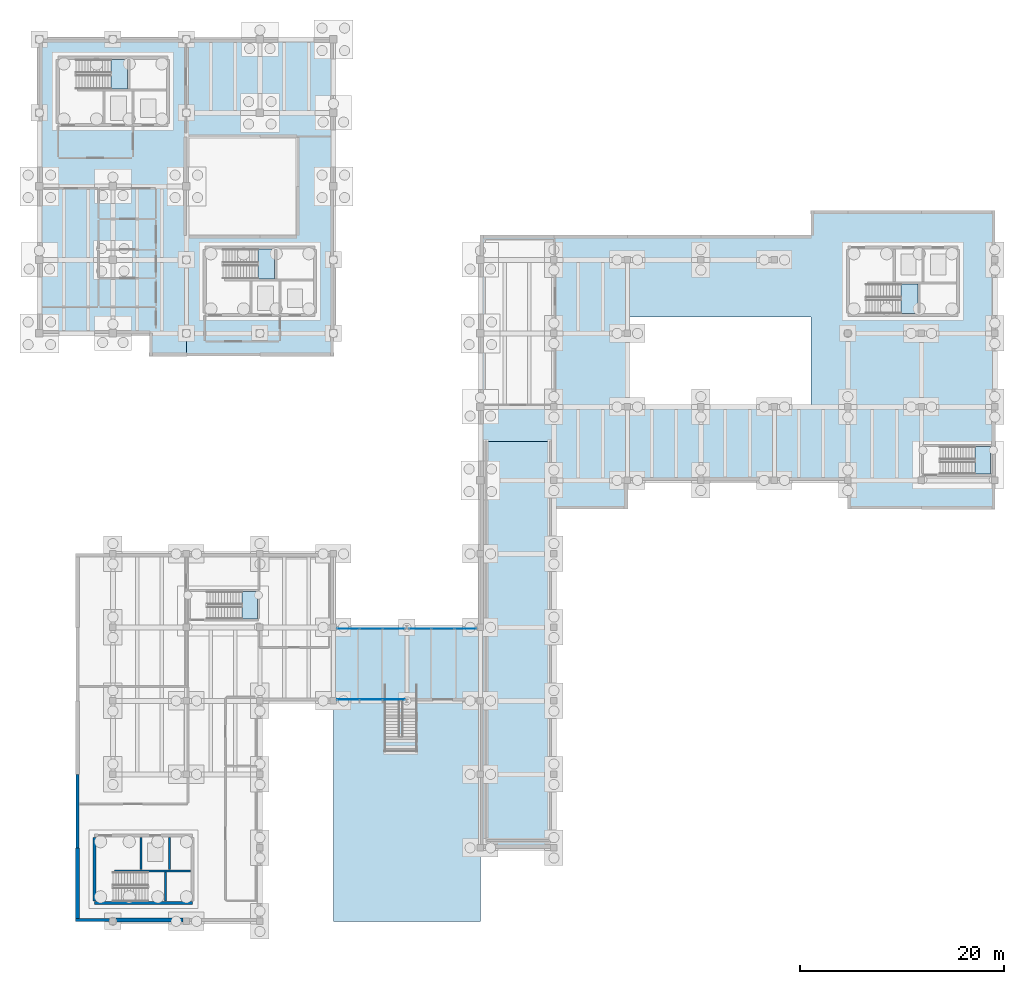
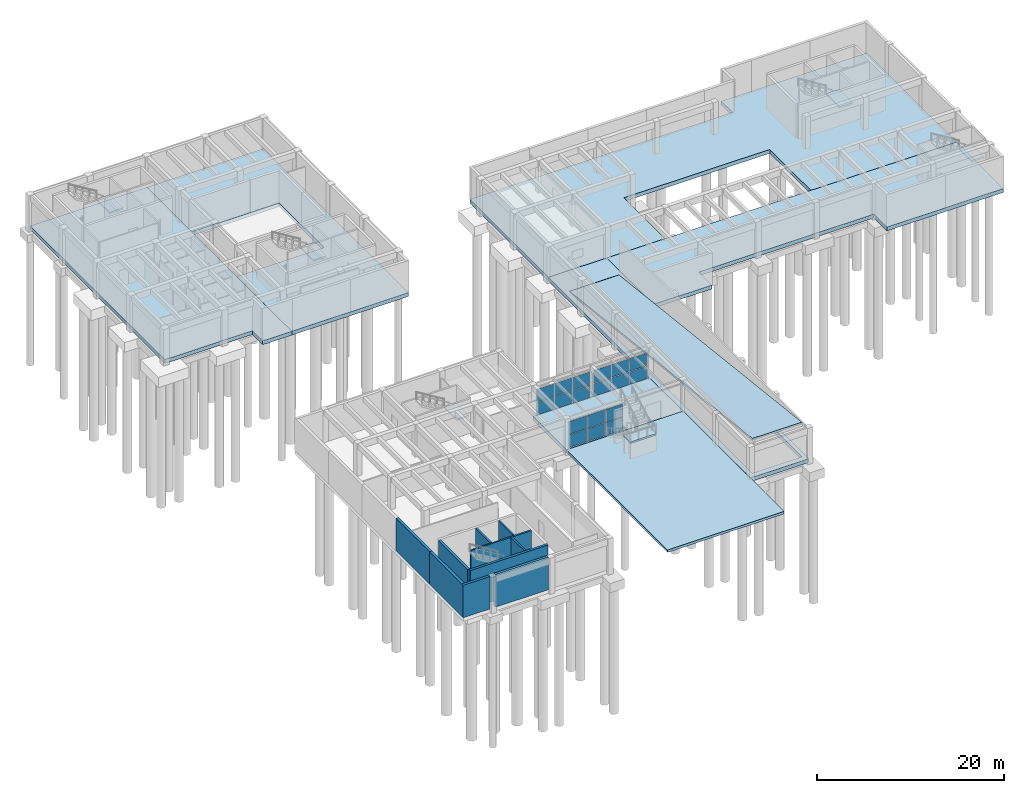
# One storey, part 16 of 28: 18 plates, 14 slabs, 10 walls, 9 elements without a shape of their own.
"""IFC4 building model written with IfcOpenShell, lengths in metres."""

from ifc_helpers import new_model, si_unit, direction, frame, frame_2d, origin, origin_2d, place, context, subcontext, project, spatial, polyline, rectangle, outline, extrude, material, layer, layer_set, type_object, element, aggregate, save


model = new_model("IFC4")

# Units and contexts
model_context = context("Model", 3, precision=1e-05, world=origin(), true_north=direction((0.0, 1.0)))
body_context = subcontext(model_context, "Body", "Model", "MODEL_VIEW")
ifc_project = project(units=[si_unit("LENGTHUNIT", "METRE"), si_unit("AREAUNIT", "SQUARE_METRE"), si_unit("VOLUMEUNIT", "CUBIC_METRE"), si_unit("PLANEANGLEUNIT", "RADIAN"), si_unit("MASSUNIT", "GRAM", prefix="KILO")], contexts=[model_context])

# Site, building, storey
site_placement = place(None, origin())
site = spatial("IfcSite", under=ifc_project, at=site_placement, CompositionType="ELEMENT")
building_placement = place(site_placement, origin())
building = spatial("IfcBuilding", under=site, at=building_placement, Name="Bramvelor Terrace Health Centre", CompositionType="ELEMENT")
storey_placement = place(building_placement, frame((0.0, 0.0, -4.5)))
storey = spatial("IfcBuildingStorey", under=building, at=storey_placement, Name="B1", CompositionType="ELEMENT", Elevation=-4.5)

# Curtain wall, plates
ifc_material_1 = material(Name="Anodized aluminium and double low-E glass", Category="aluminium")
curtain_wall_type = type_object("IfcCurtainWallType", Name="CW-SYS-01", PredefinedType="NOTDEFINED", material=ifc_material_1)
curtain_wall_1_placement = place(storey_placement, origin())
curtain_wall_1 = element("IfcCurtainWall", 1, at=curtain_wall_1_placement, inside=storey, type_object=curtain_wall_type, Name="B1 Unitized Curtain Wall 1", PredefinedType="NOTDEFINED")
ifc_material_2 = material(Name="Double low-E laminated glass", Category="glass")
ifc_layer_1 = layer(ifc_material_2, 0.028076171875)
ifc_layer_set_1 = layer_set([ifc_layer_1], Name="Double low-E laminated glass")
plate_type = type_object("IfcPlateType", Name="CW-PNL-GLZ28", PredefinedType="CURTAIN_PANEL", material=ifc_layer_set_1)
plate_1_placement = place(storey_placement, frame((30.2607421875, 57.469970703125, 0.06494140625), z_axis=(0.0, 0.0, 1.0), x_axis=(1.0, 0.0, 0.0)))
plate_1 = element("IfcPlate", 2, at=plate_1_placement, type_object=plate_type, Name="CW-01 panel 1.1", PredefinedType="CURTAIN_PANEL", context=body_context, shape_type="SweptSolid", body=[
    extrude(rectangle(XDim=2.13134765625, YDim=0.028076171875, at=origin_2d()), origin(), (0.0, 0.0, 1.0), 1.657470703125),
])
plate_2_placement = place(storey_placement, frame((30.2607421875, 57.469970703125, 1.78759765625), z_axis=(0.0, 0.0, 1.0), x_axis=(1.0, 0.0, 0.0)))
plate_2 = element("IfcPlate", 3, at=plate_2_placement, type_object=plate_type, Name="CW-01 panel 1.2", PredefinedType="CURTAIN_PANEL", context=body_context, shape_type="SweptSolid", body=[
    extrude(rectangle(XDim=2.13134765625, YDim=0.028076171875, at=origin_2d()), origin(), (0.0, 0.0, 1.0), 1.657470703125),
])
plate_3_placement = place(storey_placement, frame((32.485595703125, 57.469970703125, 0.06494140625), z_axis=(0.0, 0.0, 1.0), x_axis=(1.0, 0.0, 0.0)))
plate_3 = element("IfcPlate", 4, at=plate_3_placement, type_object=plate_type, Name="CW-01 panel 2.1", PredefinedType="CURTAIN_PANEL", context=body_context, shape_type="SweptSolid", body=[
    extrude(rectangle(XDim=2.168701171875, YDim=0.028076171875, at=origin_2d()), origin(), (0.0, 0.0, 1.0), 1.657470703125),
])
plate_4_placement = place(storey_placement, frame((32.485595703125, 57.469970703125, 1.78759765625), z_axis=(0.0, 0.0, 1.0), x_axis=(1.0, 0.0, 0.0)))
plate_4 = element("IfcPlate", 5, at=plate_4_placement, type_object=plate_type, Name="CW-01 panel 2.2", PredefinedType="CURTAIN_PANEL", context=body_context, shape_type="SweptSolid", body=[
    extrude(rectangle(XDim=2.168701171875, YDim=0.028076171875, at=origin_2d()), origin(), (0.0, 0.0, 1.0), 1.657470703125),
])
plate_5_placement = place(storey_placement, frame((34.710693359375, 57.469970703125, 0.06494140625), z_axis=(0.0, 0.0, 1.0), x_axis=(1.0, 0.0, 0.0)))
plate_5 = element("IfcPlate", 6, at=plate_5_placement, type_object=plate_type, Name="CW-01 panel 3.1", PredefinedType="CURTAIN_PANEL", context=body_context, shape_type="SweptSolid", body=[
    extrude(rectangle(XDim=2.13134765625, YDim=0.028076171875, at=origin_2d()), origin(), (0.0, 0.0, 1.0), 1.657470703125),
])
plate_6_placement = place(storey_placement, frame((34.710693359375, 57.469970703125, 1.78759765625), z_axis=(0.0, 0.0, 1.0), x_axis=(1.0, 0.0, 0.0)))
plate_6 = element("IfcPlate", 7, at=plate_6_placement, type_object=plate_type, Name="CW-01 panel 3.2", PredefinedType="CURTAIN_PANEL", context=body_context, shape_type="SweptSolid", body=[
    extrude(rectangle(XDim=2.13134765625, YDim=0.028076171875, at=origin_2d()), origin(), (0.0, 0.0, 1.0), 1.657470703125),
])
aggregate(curtain_wall_1, [plate_1, plate_2, plate_3, plate_4, plate_5, plate_6])

curtain_wall_2_placement = place(storey_placement, origin())
curtain_wall_2 = element("IfcCurtainWall", 8, at=curtain_wall_2_placement, inside=storey, type_object=curtain_wall_type, Name="B1 Unitized Curtain Wall 2", PredefinedType="NOTDEFINED")
plate_7_placement = place(storey_placement, frame((37.289306640625, 57.469970703125, 0.06494140625), z_axis=(0.0, 0.0, 1.0), x_axis=(1.0, 0.0, 0.0)))
plate_7 = element("IfcPlate", 9, at=plate_7_placement, type_object=plate_type, Name="CW-01 panel 1.1", PredefinedType="CURTAIN_PANEL", context=body_context, shape_type="SweptSolid", body=[
    extrude(rectangle(XDim=2.13134765625, YDim=0.028076171875, at=origin_2d()), origin(), (0.0, 0.0, 1.0), 1.657470703125),
])
plate_8_placement = place(storey_placement, frame((37.289306640625, 57.469970703125, 1.78759765625), z_axis=(0.0, 0.0, 1.0), x_axis=(1.0, 0.0, 0.0)))
plate_8 = element("IfcPlate", 10, at=plate_8_placement, type_object=plate_type, Name="CW-01 panel 1.2", PredefinedType="CURTAIN_PANEL", context=body_context, shape_type="SweptSolid", body=[
    extrude(rectangle(XDim=2.13134765625, YDim=0.028076171875, at=origin_2d()), origin(), (0.0, 0.0, 1.0), 1.657470703125),
])
plate_9_placement = place(storey_placement, frame((39.514404296875, 57.469970703125, 0.06494140625), z_axis=(0.0, 0.0, 1.0), x_axis=(1.0, 0.0, 0.0)))
plate_9 = element("IfcPlate", 11, at=plate_9_placement, type_object=plate_type, Name="CW-01 panel 2.1", PredefinedType="CURTAIN_PANEL", context=body_context, shape_type="SweptSolid", body=[
    extrude(rectangle(XDim=2.168701171875, YDim=0.028076171875, at=origin_2d()), origin(), (0.0, 0.0, 1.0), 1.657470703125),
])
plate_10_placement = place(storey_placement, frame((39.514404296875, 57.469970703125, 1.78759765625), z_axis=(0.0, 0.0, 1.0), x_axis=(1.0, 0.0, 0.0)))
plate_10 = element("IfcPlate", 12, at=plate_10_placement, type_object=plate_type, Name="CW-01 panel 2.2", PredefinedType="CURTAIN_PANEL", context=body_context, shape_type="SweptSolid", body=[
    extrude(rectangle(XDim=2.168701171875, YDim=0.028076171875, at=origin_2d()), origin(), (0.0, 0.0, 1.0), 1.657470703125),
])
plate_11_placement = place(storey_placement, frame((41.7392578125, 57.469970703125, 0.06494140625), z_axis=(0.0, 0.0, 1.0), x_axis=(1.0, 0.0, 0.0)))
plate_11 = element("IfcPlate", 13, at=plate_11_placement, type_object=plate_type, Name="CW-01 panel 3.1", PredefinedType="CURTAIN_PANEL", context=body_context, shape_type="SweptSolid", body=[
    extrude(rectangle(XDim=2.13134765625, YDim=0.028076171875, at=origin_2d()), origin(), (0.0, 0.0, 1.0), 1.657470703125),
])
plate_12_placement = place(storey_placement, frame((41.7392578125, 57.469970703125, 1.78759765625), z_axis=(0.0, 0.0, 1.0), x_axis=(1.0, 0.0, 0.0)))
plate_12 = element("IfcPlate", 14, at=plate_12_placement, type_object=plate_type, Name="CW-01 panel 3.2", PredefinedType="CURTAIN_PANEL", context=body_context, shape_type="SweptSolid", body=[
    extrude(rectangle(XDim=2.13134765625, YDim=0.028076171875, at=origin_2d()), origin(), (0.0, 0.0, 1.0), 1.657470703125),
])
aggregate(curtain_wall_2, [plate_7, plate_8, plate_9, plate_10, plate_11, plate_12])

curtain_wall_3_placement = place(storey_placement, origin())
curtain_wall_3 = element("IfcCurtainWall", 15, at=curtain_wall_3_placement, inside=storey, type_object=curtain_wall_type, Name="B1 Unitized Curtain Wall 3", PredefinedType="NOTDEFINED")
plate_13_placement = place(storey_placement, frame((34.710693359375, 50.530029296875, 0.06494140625), z_axis=(0.0, 0.0, 1.0), x_axis=(-1.0, 0.0, 0.0)))
plate_13 = element("IfcPlate", 16, at=plate_13_placement, type_object=plate_type, Name="CW-01 panel 1.1", PredefinedType="CURTAIN_PANEL", context=body_context, shape_type="SweptSolid", body=[
    extrude(rectangle(XDim=2.13134765625, YDim=0.028076171875, at=origin_2d()), origin(), (0.0, 0.0, 1.0), 1.657470703125),
])
plate_14_placement = place(storey_placement, frame((34.710693359375, 50.530029296875, 1.78759765625), z_axis=(0.0, 0.0, 1.0), x_axis=(-1.0, 0.0, 0.0)))
plate_14 = element("IfcPlate", 17, at=plate_14_placement, type_object=plate_type, Name="CW-01 panel 1.2", PredefinedType="CURTAIN_PANEL", context=body_context, shape_type="SweptSolid", body=[
    extrude(rectangle(XDim=2.13134765625, YDim=0.028076171875, at=origin_2d()), origin(), (0.0, 0.0, 1.0), 1.657470703125),
])
plate_15_placement = place(storey_placement, frame((32.485595703125, 50.530029296875, 0.06494140625), z_axis=(0.0, 0.0, 1.0), x_axis=(-1.0, 0.0, 0.0)))
plate_15 = element("IfcPlate", 18, at=plate_15_placement, type_object=plate_type, Name="CW-01 panel 2.1", PredefinedType="CURTAIN_PANEL", context=body_context, shape_type="SweptSolid", body=[
    extrude(rectangle(XDim=2.168701171875, YDim=0.028076171875, at=origin_2d()), origin(), (0.0, 0.0, 1.0), 1.657470703125),
])
plate_16_placement = place(storey_placement, frame((32.485595703125, 50.530029296875, 1.78759765625), z_axis=(0.0, 0.0, 1.0), x_axis=(-1.0, 0.0, 0.0)))
plate_16 = element("IfcPlate", 19, at=plate_16_placement, type_object=plate_type, Name="CW-01 panel 2.2", PredefinedType="CURTAIN_PANEL", context=body_context, shape_type="SweptSolid", body=[
    extrude(rectangle(XDim=2.168701171875, YDim=0.028076171875, at=origin_2d()), origin(), (0.0, 0.0, 1.0), 1.657470703125),
])
plate_17_placement = place(storey_placement, frame((30.2607421875, 50.530029296875, 0.06494140625), z_axis=(0.0, 0.0, 1.0), x_axis=(-1.0, 0.0, 0.0)))
plate_17 = element("IfcPlate", 20, at=plate_17_placement, type_object=plate_type, Name="CW-01 panel 3.1", PredefinedType="CURTAIN_PANEL", context=body_context, shape_type="SweptSolid", body=[
    extrude(rectangle(XDim=2.13134765625, YDim=0.028076171875, at=origin_2d()), origin(), (0.0, 0.0, 1.0), 1.657470703125),
])
plate_18_placement = place(storey_placement, frame((30.2607421875, 50.530029296875, 1.78759765625), z_axis=(0.0, 0.0, 1.0), x_axis=(-1.0, 0.0, 0.0)))
plate_18 = element("IfcPlate", 21, at=plate_18_placement, type_object=plate_type, Name="CW-01 panel 3.2", PredefinedType="CURTAIN_PANEL", context=body_context, shape_type="SweptSolid", body=[
    extrude(rectangle(XDim=2.13134765625, YDim=0.028076171875, at=origin_2d()), origin(), (0.0, 0.0, 1.0), 1.657470703125),
])
aggregate(curtain_wall_3, [plate_13, plate_14, plate_15, plate_16, plate_17, plate_18])

# Slabs
ifc_material_3 = material(Name="Concrete C40/50", Category="concrete")
ifc_layer_2 = layer(ifc_material_3, 0.5)
ifc_layer_set_2 = layer_set([ifc_layer_2], Name="Concrete C40/50")
slab_type_1 = type_object("IfcSlabType", Name="SLB-BASE-500", PredefinedType="BASESLAB", material=ifc_layer_set_2)
slab_1_placement = place(storey_placement, frame((0.0, 0.0, -0.5)))
element("IfcSlab", 22, at=slab_1_placement, inside=storey, type_object=slab_type_1, Name="B1 LK_B1 Base Slab", PredefinedType="BASESLAB", context=body_context, shape_type="SweptSolid", body=[
    extrude(outline(polyline([(43.199951171875, 50.39990234375), (43.199951171875, 57.60009765625), (28.800048828125, 57.60009765625), (28.800048828125, 50.39990234375), (43.199951171875, 50.39990234375)])), origin(), (0.0, 0.0, 1.0), 0.5),
])
slab_2_placement = place(storey_placement, frame((0.0, 0.0, -0.5)))
element("IfcSlab", 23, at=slab_2_placement, inside=storey, type_object=slab_type_1, Name="B1 V1_LOOP_S Base Slab", PredefinedType="BASESLAB", context=body_context, shape_type="SweptSolid", body=[
    extrude(outline(polyline([(50.39990234375, 69.199951171875), (50.39990234375, 79.199951171875), (93.60009765625, 79.199951171875), (93.60009765625, 69.199951171875), (79.199951171875, 69.199951171875), (79.199951171875, 72.0), (57.60009765625, 72.0), (57.60009765625, 69.199951171875), (50.39990234375, 69.199951171875)])), origin(), (0.0, 0.0, 1.0), 0.5),
])
slab_3_placement = place(storey_placement, frame((0.0, 0.0, -0.5)))
element("IfcSlab", 24, at=slab_3_placement, inside=storey, type_object=slab_type_1, Name="B1 V1_RAMP Base Slab", PredefinedType="BASESLAB", context=body_context, shape_type="SweptSolid", body=[
    extrude(outline(polyline([(43.199951171875, 36.0), (43.199951171875, 79.199951171875), (50.39990234375, 79.199951171875), (50.39990234375, 36.0), (43.199951171875, 36.0)]), holes=[polyline([(49.9599609375, 75.820068359375), (43.840087890625, 75.820068359375), (43.840087890625, 36.679931640625), (49.9599609375, 36.679931640625), (49.9599609375, 75.820068359375)])]), origin(), (0.0, 0.0, 1.0), 0.5),
])
slab_4_placement = place(storey_placement, frame((0.0, 0.0, -0.5)))
element("IfcSlab", 25, at=slab_4_placement, inside=storey, type_object=slab_type_1, Name="B1 V4_E Base Slab", PredefinedType="BASESLAB", context=body_context, shape_type="SweptSolid", body=[
    extrude(outline(polyline([(14.39990234375, 115.199951171875), (28.800048828125, 115.199951171875), (28.800048828125, 84.199951171875), (14.39990234375, 84.199951171875), (14.39990234375, 96.0), (25.199951171875, 96.0), (25.199951171875, 105.60009765625), (14.39990234375, 105.60009765625), (14.39990234375, 115.199951171875)])), origin(), (0.0, 0.0, 1.0), 0.5),
])
slab_5_placement = place(storey_placement, frame((0.0, 0.0, -0.5)))
element("IfcSlab", 26, at=slab_5_placement, inside=storey, type_object=slab_type_1, Name="B1 V4_W Base Slab", PredefinedType="BASESLAB", context=body_context, shape_type="SweptSolid", body=[
    extrude(outline(polyline([(0.0, 86.39990234375), (0.0, 115.199951171875), (14.39990234375, 115.199951171875), (14.39990234375, 86.39990234375), (14.39990234375, 84.199951171875), (10.800048828125, 84.199951171875), (10.800048828125, 86.39990234375), (0.0, 86.39990234375)])), origin(), (0.0, 0.0, 1.0), 0.5),
])
slab_6_placement = place(storey_placement, frame((0.0, 0.0, -0.5)))
element("IfcSlab", 27, at=slab_6_placement, inside=storey, type_object=slab_type_1, Name="B1 V5_LOOP_N Base Slab", PredefinedType="BASESLAB", context=body_context, shape_type="SweptSolid", body=[
    extrude(outline(polyline([(43.199951171875, 96.0), (75.60009765625, 96.0), (75.60009765625, 98.39990234375), (93.60009765625, 98.39990234375), (93.60009765625, 79.199951171875), (75.60009765625, 79.199951171875), (75.60009765625, 88.0), (57.60009765625, 88.0), (57.60009765625, 79.199951171875), (43.199951171875, 79.199951171875), (43.199951171875, 96.0)])), origin(), (0.0, 0.0, 1.0), 0.5),
])
ifc_material_4 = material(Name="Concrete C40/50", Category="concrete")
ifc_layer_3 = layer(ifc_material_4, 0.320068359375)
ifc_layer_set_3 = layer_set([ifc_layer_3], Name="Concrete C40/50")
slab_type_2 = type_object("IfcSlabType", Name="SLB-EXT-B1-320", PredefinedType="BASESLAB", material=ifc_layer_set_3)
slab_7_placement = place(storey_placement, frame((0.0, 0.0, -0.320068359375)))
element("IfcSlab", 28, at=slab_7_placement, inside=storey, type_object=slab_type_2, Name="B1 Forecourt Exterior Slab", PredefinedType="BASESLAB", context=body_context, shape_type="SweptSolid", body=[
    extrude(outline(polyline([(43.199951171875, 28.800048828125), (28.800048828125, 28.800048828125), (28.800048828125, 50.39501953125), (43.195068359375, 50.39501953125), (43.195068359375, 36.0), (43.195068359375, 35.99951171875), (43.195068359375, 35.9990234375), (43.1953125, 35.99853515625), (43.1953125, 35.998046875), (43.195556640625, 35.99755859375), (43.19580078125, 35.997314453125), (43.196044921875, 35.996826171875), (43.196533203125, 35.99658203125), (43.19677734375, 35.99609375), (43.197265625, 35.995849609375), (43.197509765625, 35.99560546875), (43.197998046875, 35.995361328125), (43.198486328125, 35.9951171875), (43.198974609375, 35.9951171875), (43.199462890625, 35.9951171875), (43.199951171875, 35.9951171875), (43.199951171875, 28.800048828125)])), origin(), (0.0, 0.0, 1.0), 0.320068359375),
])

# Stair, slab
ifc_material_5 = material(Name="Concrete C40/50", Category="concrete")
stair_type_1 = type_object("IfcStairType", Name="STR-CORE", PredefinedType="HALF_TURN_STAIR", material=ifc_material_5)
stair_1_placement = place(storey_placement, origin())
stair_1 = element("IfcStair", 29, at=stair_1_placement, inside=storey, type_object=stair_type_1, Name="B1 C1 Primary Fire Stair", PredefinedType="HALF_TURN_STAIR")
ifc_material_6 = material(Name="Concrete C40/50", Category="concrete")
ifc_layer_4 = layer(ifc_material_6, 0.199951171875)
ifc_layer_set_4 = layer_set([ifc_layer_4], Name="Concrete C40/50")
slab_type_3 = type_object("IfcSlabType", Name="SLB-LND-200", PredefinedType="LANDING", material=ifc_layer_set_4)
slab_8_placement = place(storey_placement, frame((0.0, 0.0, 2.050048828125)))
slab_8 = element("IfcSlab", 30, at=slab_8_placement, type_object=slab_type_3, Name="ST-1 landing 1", PredefinedType="LANDING", context=body_context, shape_type="SweptSolid", body=[
    extrude(outline(polyline([(7.02001953125, 110.35009765625), (8.655029296875, 110.35009765625), (8.655029296875, 113.25), (7.02001953125, 113.25), (7.02001953125, 110.35009765625)])), origin(), (0.0, 0.0, 1.0), 0.199951171875),
])
aggregate(stair_1, [slab_8])

stair_2_placement = place(storey_placement, origin())
stair_2 = element("IfcStair", 31, at=stair_2_placement, inside=storey, type_object=stair_type_1, Name="B1 C2 Primary Fire Stair", PredefinedType="HALF_TURN_STAIR")
slab_9_placement = place(storey_placement, frame((0.0, 0.0, 2.050048828125)))
slab_9 = element("IfcSlab", 32, at=slab_9_placement, type_object=slab_type_3, Name="ST-2 landing 1", PredefinedType="LANDING", context=body_context, shape_type="SweptSolid", body=[
    extrude(outline(polyline([(21.419921875, 91.75), (23.054931640625, 91.75), (23.054931640625, 94.64990234375), (21.419921875, 94.64990234375), (21.419921875, 91.75)])), origin(), (0.0, 0.0, 1.0), 0.199951171875),
])
aggregate(stair_2, [slab_9])

stair_3_placement = place(storey_placement, origin())
stair_3 = element("IfcStair", 33, at=stair_3_placement, inside=storey, type_object=stair_type_1, Name="B1 C4 Primary Fire Stair", PredefinedType="HALF_TURN_STAIR")
slab_10_placement = place(storey_placement, frame((0.0, 0.0, 2.050048828125)))
slab_10 = element("IfcSlab", 34, at=slab_10_placement, type_object=slab_type_3, Name="ST-4 landing 1", PredefinedType="LANDING", context=body_context, shape_type="SweptSolid", body=[
    extrude(outline(polyline([(84.419921875, 88.35009765625), (86.054931640625, 88.35009765625), (86.054931640625, 91.25), (84.419921875, 91.25), (84.419921875, 88.35009765625)])), origin(), (0.0, 0.0, 1.0), 0.199951171875),
])
aggregate(stair_3, [slab_10])

ifc_material_7 = material(Name="Concrete C40/50", Category="concrete")
stair_type_2 = type_object("IfcStairType", Name="STR-SEC", PredefinedType="HALF_TURN_STAIR", material=ifc_material_7)
stair_4_placement = place(storey_placement, origin())
stair_4 = element("IfcStair", 35, at=stair_4_placement, inside=storey, type_object=stair_type_2, Name="B1 North Pharmacy & Mental Health Exit Stair", PredefinedType="HALF_TURN_STAIR")
slab_11_placement = place(storey_placement, frame((0.0, 0.0, 2.050048828125)))
slab_11 = element("IfcSlab", 36, at=slab_11_placement, type_object=slab_type_3, Name="ST-6 landing 1", PredefinedType="LANDING", context=body_context, shape_type="SweptSolid", body=[
    extrude(outline(polyline([(19.840087890625, 58.39990234375), (21.375, 58.39990234375), (21.375, 61.10009765625), (19.840087890625, 61.10009765625), (19.840087890625, 58.39990234375)])), origin(), (0.0, 0.0, 1.0), 0.199951171875),
])
aggregate(stair_4, [slab_11])

stair_5_placement = place(storey_placement, origin())
stair_5 = element("IfcStair", 37, at=stair_5_placement, inside=storey, type_object=stair_type_2, Name="B1 East Waiting Hall Exit Stair", PredefinedType="HALF_TURN_STAIR")
slab_12_placement = place(storey_placement, frame((0.0, 0.0, 2.050048828125)))
slab_12 = element("IfcSlab", 38, at=slab_12_placement, type_object=slab_type_3, Name="ST-8 landing 1", PredefinedType="LANDING", context=body_context, shape_type="SweptSolid", body=[
    extrude(outline(polyline([(91.639892578125, 72.60009765625), (93.175048828125, 72.60009765625), (93.175048828125, 75.300048828125), (91.639892578125, 75.300048828125), (91.639892578125, 72.60009765625)])), origin(), (0.0, 0.0, 1.0), 0.199951171875),
])
aggregate(stair_5, [slab_12])

ifc_material_8 = material(Name="Concrete C40/50", Category="concrete")
stair_type_3 = type_object("IfcStairType", Name="STR-FORE", PredefinedType="HALF_TURN_STAIR", material=ifc_material_8)
stair_6_placement = place(storey_placement, origin())
stair_6 = element("IfcStair", 39, at=stair_6_placement, inside=storey, type_object=stair_type_3, Name="B1 Sunken Metro Forecourt Stair", PredefinedType="HALF_TURN_STAIR")
ifc_material_9 = material(Name="Concrete C40/50", Category="concrete")
ifc_layer_5 = layer(ifc_material_9, 0.199951171875)
ifc_layer_set_5 = layer_set([ifc_layer_5], Name="Concrete C40/50")
slab_type_4 = type_object("IfcSlabType", Name="SLB-LND-EXT200", PredefinedType="LANDING", material=ifc_layer_set_5)
slab_13_placement = place(storey_placement, frame((0.0, 0.0, 2.050048828125)))
slab_13 = element("IfcSlab", 40, at=slab_13_placement, type_object=slab_type_4, Name="STE-1 landing 1", PredefinedType="LANDING", context=body_context, shape_type="SweptSolid", body=[
    extrude(outline(polyline([(33.800048828125, 46.919921875), (33.800048828125, 45.419921875), (37.0, 45.419921875), (37.0, 46.919921875), (33.800048828125, 46.919921875)])), origin(), (0.0, 0.0, 1.0), 0.199951171875),
])
aggregate(stair_6, [slab_13])

# Slab
ifc_material_10 = material(Name="Concrete C40/50", Category="concrete")
ifc_layer_6 = layer(ifc_material_10, 0.25)
ifc_layer_set_6 = layer_set([ifc_layer_6], Name="Concrete C40/50")
slab_type_5 = type_object("IfcSlabType", Name="SLB-RMP-RC250", PredefinedType="FLOOR", material=ifc_layer_set_6)
slab_14_placement = place(storey_placement, frame((43.85009765625, 75.800048828125, 0.0), z_axis=(0.0, 0.114334506987, 0.993442308598), x_axis=(1.0, 0.0, 0.0)))
element("IfcSlab", 41, at=slab_14_placement, inside=storey, type_object=slab_type_5, Name="B1 Two-Way Structural Vehicle Ramp Slab RS-VR250", PredefinedType="FLOOR", context=body_context, shape_type="SweptSolid", body=[
    extrude(outline(polyline([(0.0, 0.0), (6.099853515625, 0.0), (6.099853515625, -39.358196563464226), (0.0, -39.358196563464226), (0.0, 0.0)])), origin(), (0.0, 0.0, -1.0), 0.25),
])

# Walls
ifc_material_11 = material(Name="Concrete C40/50", Category="concrete")
ifc_layer_7 = layer(ifc_material_11, 0.199951171875)
ifc_layer_set_7 = layer_set([ifc_layer_7], Name="Concrete C40/50")
wall_type_1 = type_object("IfcWallType", Name="WL-CORE-200", PredefinedType="SHEAR", material=ifc_layer_set_7)
wall_1_placement = place(storey_placement, frame((7.35009765625, 33.75, -0.5), z_axis=(0.0, 0.0, 1.0), x_axis=(1.0, 0.0, 0.0)))
element("IfcWall", 42, at=wall_1_placement, inside=storey, type_object=wall_type_1, Name="C3 B1 Core Shear Wall", PredefinedType="SHEAR", context=body_context, shape_type="SweptSolid", body=[
    extrude(rectangle(XDim=7.469970703125, YDim=0.199951171875, at=frame_2d((3.73486328125, 0.0))), origin(), (0.0, 0.0, 1.0), 5.0),
])
wall_2_placement = place(storey_placement, frame((12.35498046875, 30.780029296875, -0.5), z_axis=(0.0, 0.0, 1.0), x_axis=(0.0, 1.0, 0.0)))
element("IfcWall", 43, at=wall_2_placement, inside=storey, type_object=wall_type_1, Name="C3 B1 Core Shear Wall", PredefinedType="SHEAR", context=body_context, shape_type="SweptSolid", body=[
    extrude(rectangle(XDim=2.849853515625, YDim=0.199951171875, at=frame_2d((1.4248046875, 0.0))), origin(), (0.0, 0.0, 1.0), 5.0),
])
for number, where, z_axis, x_axis, name in (
    (44, (9.949951171875, 33.8701171875, -0.5), (0.0, 0.0, 1.0), (0.0, 1.0, 0.0), "C3 B1 Core Shear Wall"),
    (45, (12.75, 33.8701171875, -0.5), (0.0, 0.0, 1.0), (0.0, 1.0, 0.0), "C3 B1 Lift Divider Wall"),
):
    element("IfcWall", number, at=place(storey_placement, frame(where, z_axis=z_axis, x_axis=x_axis)), inside=storey, type_object=wall_type_1, Name=name, PredefinedType="SHEAR", context=body_context, shape_type="SweptSolid", body=[
        extrude(rectangle(XDim=3.14990234375, YDim=0.199951171875, at=frame_2d((1.574951171875, 0.0))), origin(), (0.0, 0.0, 1.0), 5.0),
    ])
ifc_material_12 = material(Name="Concrete C40/50", Category="concrete")
ifc_layer_8 = layer(ifc_material_12, 0.300048828125)
ifc_layer_set_8 = layer_set([ifc_layer_8], Name="Concrete C40/50")
wall_type_2 = type_object("IfcWallType", Name="WL-CORE-300", PredefinedType="SHEAR", material=ifc_layer_set_8)
wall_3_placement = place(storey_placement, frame((5.39990234375, 30.60009765625, -0.5), z_axis=(0.0, 0.0, 1.0), x_axis=(1.0, 0.0, 0.0)))
element("IfcWall", 46, at=wall_3_placement, inside=storey, type_object=wall_type_2, Name="C3 B1 Core Shear Wall", PredefinedType="SHEAR", context=body_context, shape_type="SweptSolid", body=[
    extrude(rectangle(XDim=9.60009765625, YDim=0.300048828125, at=frame_2d((4.800048828125, 0.0))), origin(), (0.0, 0.0, 1.0), 5.0),
])
wall_4_placement = place(storey_placement, frame((5.39990234375, 30.780029296875, -0.5), z_axis=(0.0, 0.0, 1.0), x_axis=(0.0, 1.0, 0.0)))
element("IfcWall", 47, at=wall_4_placement, inside=storey, type_object=wall_type_2, Name="C3 B1 Core Shear Wall", PredefinedType="SHEAR", context=body_context, shape_type="SweptSolid", body=[
    extrude(rectangle(XDim=6.239990234375, YDim=0.300048828125, at=frame_2d((3.1201171875, 0.0))), origin(), (0.0, 0.0, 1.0), 5.0),
])
ifc_material_13 = material(Name="Concrete C40/50", Category="concrete")
ifc_layer_9 = layer(ifc_material_13, 0.320068359375)
ifc_layer_set_9 = layer_set([ifc_layer_9], Name="Concrete C40/50")
wall_type_3 = type_object("IfcWallType", Name="WL-RET-320", PredefinedType="SOLIDWALL", material=ifc_layer_set_9)
wall_5_placement = place(storey_placement, frame((6.8798828125, 28.929931640625, 0.0), z_axis=(0.0, 0.0, 1.0), x_axis=(-1.0, 0.0, 0.0)))
element("IfcWall", 48, at=wall_5_placement, inside=storey, type_object=wall_type_3, Name="B1 Perimeter Basement Retaining Wall 47", PredefinedType="SOLIDWALL", context=body_context, shape_type="SweptSolid", body=[
    extrude(rectangle(XDim=3.31982421875, YDim=0.320068359375, at=frame_2d((1.659912109375, 0.0))), origin(), (0.0, 0.0, 1.0), 4.25),
])
wall_6_placement = place(storey_placement, frame((3.72998046875, 36.0, 0.0), z_axis=(0.0, 0.0, 1.0), x_axis=(0.0, 1.0, 0.0)))
element("IfcWall", 49, at=wall_6_placement, inside=storey, type_object=wall_type_3, Name="B1 Perimeter Basement Retaining Wall 49", PredefinedType="SOLIDWALL", context=body_context, shape_type="SweptSolid", body=[
    extrude(rectangle(XDim=7.199951171875, YDim=0.320068359375, at=frame_2d((3.60009765625, 0.0))), origin(), (0.0, 0.0, 1.0), 4.25),
])
ifc_material_14 = material(Name="Concrete C40/50", Category="concrete")
ifc_layer_10 = layer(ifc_material_14, 0.35009765625)
ifc_layer_set_10 = layer_set([ifc_layer_10], Name="Concrete C40/50")
wall_type_4 = type_object("IfcWallType", Name="WL-RET-350", PredefinedType="SOLIDWALL", material=ifc_layer_set_10)
wall_7_placement = place(storey_placement, frame((14.080078125, 28.929931640625, 0.0), z_axis=(0.0, 0.0, 1.0), x_axis=(-1.0, 0.0, 0.0)))
element("IfcWall", 50, at=wall_7_placement, inside=storey, type_object=wall_type_4, Name="B1 Perimeter Basement Retaining Wall 46", PredefinedType="SOLIDWALL", context=body_context, shape_type="SweptSolid", body=[
    extrude(rectangle(XDim=6.56005859375, YDim=0.35009765625, at=frame_2d((3.280029296875, 0.0))), origin(), (0.0, 0.0, 1.0), 4.25),
])
wall_8_placement = place(storey_placement, frame((3.72998046875, 28.780029296875, 0.0), z_axis=(0.0, 0.0, 1.0), x_axis=(0.0, 1.0, 0.0)))
element("IfcWall", 51, at=wall_8_placement, inside=storey, type_object=wall_type_4, Name="B1 Perimeter Basement Retaining Wall 48", PredefinedType="SOLIDWALL", context=body_context, shape_type="SweptSolid", body=[
    extrude(rectangle(XDim=7.219970703125, YDim=0.35009765625, at=frame_2d((3.60986328125, 0.0))), origin(), (0.0, 0.0, 1.0), 4.25),
])

save(model, "model.ifc")
